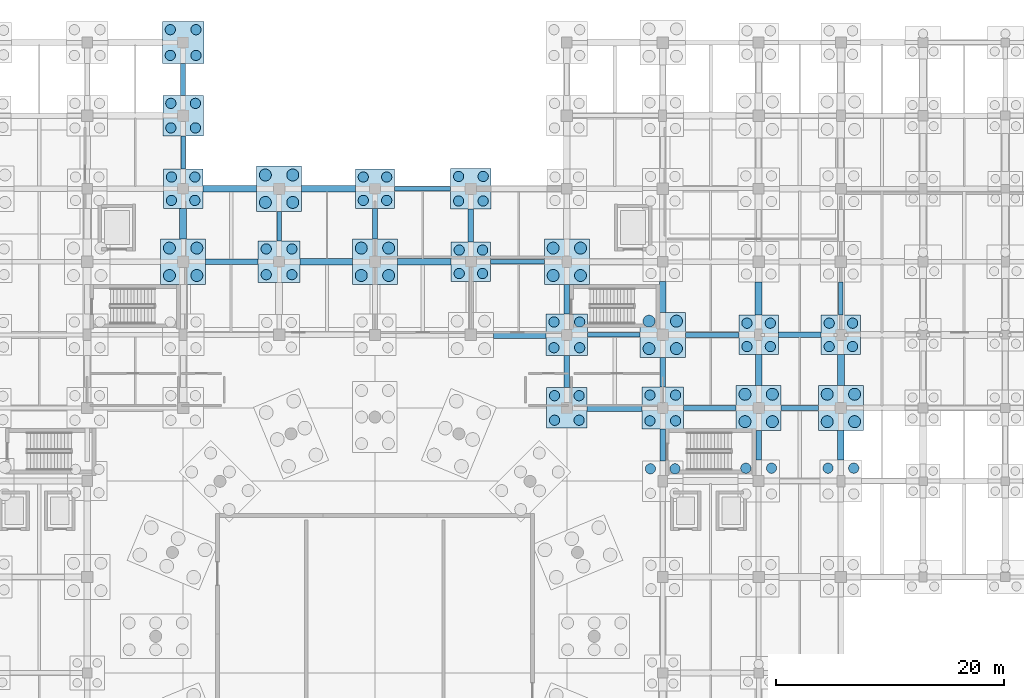
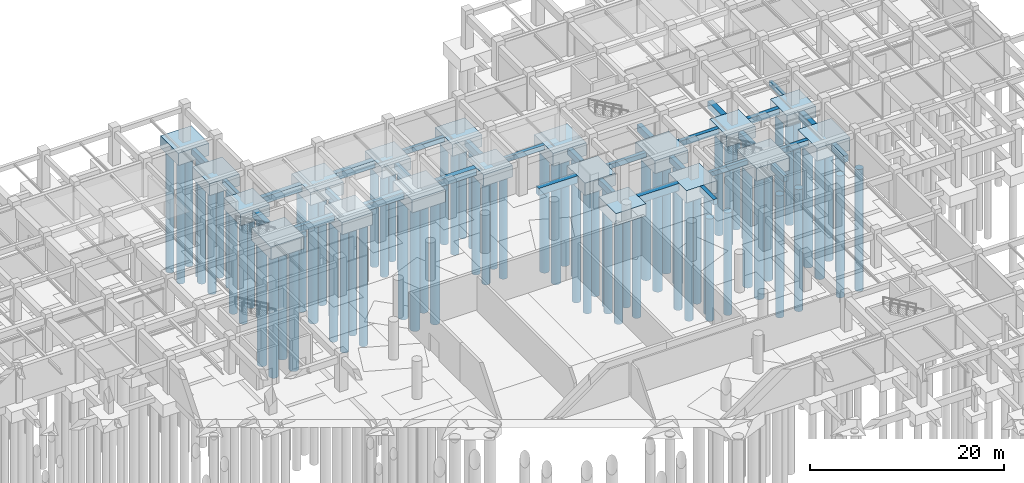
# One storey, part 10 of 44: 82 piles, 50 footings.
"""IFC4 building model written with IfcOpenShell, lengths in metres."""

from ifc_helpers import new_model, si_unit, direction, frame, origin, origin_2d, place, context, subcontext, project, spatial, rectangle, circle, extrude, material, material_profile, profile_set, type_object, element, save


model = new_model("IFC4")

# Units and contexts
model_context = context("Model", 3, precision=1e-05, world=origin(), true_north=direction((0.0, 1.0)))
body_context = subcontext(model_context, "Body", "Model", "MODEL_VIEW")
ifc_project = project(units=[si_unit("LENGTHUNIT", "METRE"), si_unit("AREAUNIT", "SQUARE_METRE"), si_unit("VOLUMEUNIT", "CUBIC_METRE"), si_unit("PLANEANGLEUNIT", "RADIAN"), si_unit("MASSUNIT", "GRAM", prefix="KILO")], contexts=[model_context])

# Site, building, storey
site_placement = place(None, origin())
site = spatial("IfcSite", under=ifc_project, at=site_placement, CompositionType="ELEMENT")
building_placement = place(site_placement, origin())
building = spatial("IfcBuilding", under=site, at=building_placement, Name="Korsvaeld Concert Hall", CompositionType="ELEMENT")
storey_placement = place(building_placement, frame((0.0, 0.0, -4.800048828125)))
storey = spatial("IfcBuildingStorey", under=building, at=storey_placement, Name="B1", CompositionType="ELEMENT", Elevation=-4.800048828125)

# Footings
ifc_material_1 = material(Name="Concrete C35/45", Category="concrete")
ifc_material_profile_1 = material_profile(ifc_material_1, rectangle(XDim=0.39990234375, YDim=0.60009765625, at=origin_2d()), Name="GTB 400x600")
ifc_profile_set_1 = profile_set([ifc_material_profile_1], Name="Concrete C35/45")
footing_type_1 = type_object("IfcFootingType", Name="GTB-400x600", PredefinedType="FOOTING_BEAM", material=ifc_profile_set_1)
for number, where, z_axis, x_axis, name in (
    (1, (111.02490234375, 83.199951171875, -0.300048828125), (1.0, 0.0, 0.0), (0.0, 1.0, 0.0), "Ground tie beam 15-16/M"),
    (2, (102.625, 89.60009765625, -0.300048828125), (1.0, 0.0, 0.0), (0.0, 1.0, 0.0), "Ground tie beam 14-15/N"),
):
    element("IfcFooting", number, at=place(storey_placement, frame(where, z_axis=z_axis, x_axis=x_axis)), inside=storey, type_object=footing_type_1, Name=name, PredefinedType="FOOTING_BEAM", context=body_context, shape_type="SweptSolid", body=[
        extrude(rectangle(XDim=0.39990234375, YDim=0.60009765625, at=origin_2d()), origin(), (0.0, 0.0, 1.0), 4.60009765625),
    ])
footing_1_placement = place(storey_placement, frame((94.125, 96.0, -0.300048828125), z_axis=(1.0, 0.0, 0.0), x_axis=(0.0, 1.0, 0.0)))
element("IfcFooting", 3, at=footing_1_placement, inside=storey, type_object=footing_type_1, Name="Ground tie beam 13-14/P", PredefinedType="FOOTING_BEAM", context=body_context, shape_type="SweptSolid", body=[
    extrude(rectangle(XDim=0.39990234375, YDim=0.60009765625, at=origin_2d()), origin(), (0.0, 0.0, 1.0), 4.699951171875),
])
footing_2_placement = place(storey_placement, frame((85.72509765625, 102.39990234375, -0.300048828125), z_axis=(1.0, 0.0, 0.0), x_axis=(0.0, 1.0, 0.0)))
element("IfcFooting", 4, at=footing_2_placement, inside=storey, type_object=footing_type_1, Name="Ground tie beam 12-13/Q", PredefinedType="FOOTING_BEAM", context=body_context, shape_type="SweptSolid", body=[
    extrude(rectangle(XDim=0.39990234375, YDim=0.60009765625, at=origin_2d()), origin(), (0.0, 0.0, 1.0), 4.89990234375),
])
footing_3_placement = place(storey_placement, frame((67.199951171875, 104.125, -0.300048828125), z_axis=(0.0, 1.0, 0.0), x_axis=(-1.0, 0.0, 0.0)))
element("IfcFooting", 5, at=footing_3_placement, inside=storey, type_object=footing_type_1, Name="Ground tie beam 10/Q-R", PredefinedType="FOOTING_BEAM", context=body_context, shape_type="SweptSolid", body=[
    extrude(rectangle(XDim=0.39990234375, YDim=0.60009765625, at=origin_2d()), origin(), (0.0, 0.0, 1.0), 2.89990234375),
])
footing_4_placement = place(storey_placement, frame((75.60009765625, 97.824951171875, -0.300048828125), z_axis=(0.0, 1.0, 0.0), x_axis=(-1.0, 0.0, 0.0)))
element("IfcFooting", 6, at=footing_4_placement, inside=storey, type_object=footing_type_1, Name="Ground tie beam 11/P-Q", PredefinedType="FOOTING_BEAM", context=body_context, shape_type="SweptSolid", body=[
    extrude(rectangle(XDim=0.39990234375, YDim=0.60009765625, at=origin_2d()), origin(), (0.0, 0.0, 1.0), 2.60009765625),
])
footing_5_placement = place(storey_placement, frame((124.800048828125, 91.324951171875, -0.300048828125), z_axis=(0.0, 1.0, 0.0), x_axis=(-1.0, 0.0, 0.0)))
element("IfcFooting", 7, at=footing_5_placement, inside=storey, type_object=footing_type_1, Name="Ground tie beam 17/N-P", PredefinedType="FOOTING_BEAM", context=body_context, shape_type="SweptSolid", body=[
    extrude(rectangle(XDim=0.39990234375, YDim=0.60009765625, at=origin_2d()), origin(), (0.0, 0.0, 1.0), 2.900146484375),
])
ifc_material_profile_2 = material_profile(ifc_material_1, rectangle(XDim=0.449951171875, YDim=0.699951171875, at=origin_2d()), Name="GTB 450x700")
ifc_profile_set_2 = profile_set([ifc_material_profile_2], Name="Concrete C35/45")
footing_type_2 = type_object("IfcFootingType", Name="GTB-450x700", PredefinedType="FOOTING_BEAM", material=ifc_profile_set_2)
footing_6_placement = place(storey_placement, frame((119.574951171875, 83.199951171875, -0.349853515625), z_axis=(1.0, 0.0, 0.0), x_axis=(0.0, 1.0, 0.0)))
element("IfcFooting", 8, at=footing_6_placement, inside=storey, type_object=footing_type_2, Name="Ground tie beam 16-17/M", PredefinedType="FOOTING_BEAM", context=body_context, shape_type="SweptSolid", body=[
    extrude(rectangle(XDim=0.449951171875, YDim=0.699951171875, at=origin_2d()), origin(), (0.0, 0.0, 1.0), 3.25),
])
footing_7_placement = place(storey_placement, frame((111.175048828125, 89.60009765625, -0.349853515625), z_axis=(1.0, 0.0, 0.0), x_axis=(0.0, 1.0, 0.0)))
element("IfcFooting", 9, at=footing_7_placement, inside=storey, type_object=footing_type_2, Name="Ground tie beam 15-16/N", PredefinedType="FOOTING_BEAM", context=body_context, shape_type="SweptSolid", body=[
    extrude(rectangle(XDim=0.449951171875, YDim=0.699951171875, at=origin_2d()), origin(), (0.0, 0.0, 1.0), 4.699951171875),
])
footing_8_placement = place(storey_placement, frame((67.199951171875, 110.574951171875, -0.349853515625), z_axis=(0.0, 1.0, 0.0), x_axis=(-1.0, 0.0, 0.0)))
element("IfcFooting", 10, at=footing_8_placement, inside=storey, type_object=footing_type_2, Name="Ground tie beam 10/R-S", PredefinedType="FOOTING_BEAM", context=body_context, shape_type="SweptSolid", body=[
    extrude(rectangle(XDim=0.449951171875, YDim=0.699951171875, at=origin_2d()), origin(), (0.0, 0.0, 1.0), 2.800048828125),
])
footing_9_placement = place(storey_placement, frame((84.0, 97.97509765625, -0.349853515625), z_axis=(0.0, 1.0, 0.0), x_axis=(-1.0, 0.0, 0.0)))
element("IfcFooting", 11, at=footing_9_placement, inside=storey, type_object=footing_type_2, Name="Ground tie beam 12/P-Q", PredefinedType="FOOTING_BEAM", context=body_context, shape_type="SweptSolid", body=[
    extrude(rectangle(XDim=0.449951171875, YDim=0.699951171875, at=origin_2d()), origin(), (0.0, 0.0, 1.0), 2.699951171875),
])
footing_10_placement = place(storey_placement, frame((100.800048828125, 84.97509765625, -0.349853515625), z_axis=(0.0, 1.0, 0.0), x_axis=(-1.0, 0.0, 0.0)))
element("IfcFooting", 12, at=footing_10_placement, inside=storey, type_object=footing_type_2, Name="Ground tie beam 14/M-N", PredefinedType="FOOTING_BEAM", context=body_context, shape_type="SweptSolid", body=[
    extrude(rectangle(XDim=0.449951171875, YDim=0.699951171875, at=origin_2d()), origin(), (0.0, 0.0, 1.0), 2.7998046875),
])
footing_11_placement = place(storey_placement, frame((109.199951171875, 78.574951171875, -0.349853515625), z_axis=(0.0, 1.0, 0.0), x_axis=(-1.0, 0.0, 0.0)))
element("IfcFooting", 13, at=footing_11_placement, inside=storey, type_object=footing_type_2, Name="Ground tie beam 15/L-M", PredefinedType="FOOTING_BEAM", context=body_context, shape_type="SweptSolid", body=[
    extrude(rectangle(XDim=0.449951171875, YDim=0.699951171875, at=origin_2d()), origin(), (0.0, 0.0, 1.0), 2.800048828125),
])
ifc_material_profile_3 = material_profile(ifc_material_1, rectangle(XDim=0.5, YDim=0.75, at=origin_2d()), Name="GTB 500x750")
ifc_profile_set_3 = profile_set([ifc_material_profile_3], Name="Concrete C35/45")
footing_type_3 = type_object("IfcFootingType", Name="GTB-500x750", PredefinedType="FOOTING_BEAM", material=ifc_profile_set_3)
footing_12_placement = place(storey_placement, frame((119.324951171875, 89.60009765625, -0.375), z_axis=(1.0, 0.0, 0.0), x_axis=(0.0, 1.0, 0.0)))
element("IfcFooting", 14, at=footing_12_placement, inside=storey, type_object=footing_type_3, Name="Ground tie beam 16-17/N", PredefinedType="FOOTING_BEAM", context=body_context, shape_type="SweptSolid", body=[
    extrude(rectangle(XDim=0.5, YDim=0.75, at=origin_2d()), origin(), (0.0, 0.0, 1.0), 3.75),
])
footing_13_placement = place(storey_placement, frame((69.175048828125, 96.0, -0.375), z_axis=(1.0, 0.0, 0.0), x_axis=(0.0, 1.0, 0.0)))
element("IfcFooting", 15, at=footing_13_placement, inside=storey, type_object=footing_type_3, Name="Ground tie beam 10-11/P", PredefinedType="FOOTING_BEAM", context=body_context, shape_type="SweptSolid", body=[
    extrude(rectangle(XDim=0.5, YDim=0.75, at=origin_2d()), origin(), (0.0, 0.0, 1.0), 4.599853515625),
])
footing_14_placement = place(storey_placement, frame((92.39990234375, 97.72509765625, -0.375), z_axis=(0.0, 1.0, 0.0), x_axis=(-1.0, 0.0, 0.0)))
element("IfcFooting", 16, at=footing_14_placement, inside=storey, type_object=footing_type_3, Name="Ground tie beam 13/P-Q", PredefinedType="FOOTING_BEAM", context=body_context, shape_type="SweptSolid", body=[
    extrude(rectangle(XDim=0.5, YDim=0.75, at=origin_2d()), origin(), (0.0, 0.0, 1.0), 2.89990234375),
])
footing_15_placement = place(storey_placement, frame((100.800048828125, 91.425048828125, -0.375), z_axis=(0.0, 1.0, 0.0), x_axis=(-1.0, 0.0, 0.0)))
element("IfcFooting", 17, at=footing_15_placement, inside=storey, type_object=footing_type_3, Name="Ground tie beam 14/N-P", PredefinedType="FOOTING_BEAM", context=body_context, shape_type="SweptSolid", body=[
    extrude(rectangle(XDim=0.5, YDim=0.75, at=origin_2d()), origin(), (0.0, 0.0, 1.0), 2.599853515625),
])
for number, where, z_axis, x_axis, name in (
    (18, (109.199951171875, 85.02490234375, -0.375), (0.0, 1.0, 0.0), (-1.0, 0.0, 0.0), "Ground tie beam 15/M-N"),
    (19, (117.60009765625, 78.625, -0.375), (0.0, 1.0, 0.0), (-1.0, 0.0, 0.0), "Ground tie beam 16/L-M"),
):
    element("IfcFooting", number, at=place(storey_placement, frame(where, z_axis=z_axis, x_axis=x_axis)), inside=storey, type_object=footing_type_3, Name=name, PredefinedType="FOOTING_BEAM", context=body_context, shape_type="SweptSolid", body=[
        extrude(rectangle(XDim=0.5, YDim=0.75, at=origin_2d()), origin(), (0.0, 0.0, 1.0), 2.60009765625),
    ])
ifc_material_profile_4 = material_profile(ifc_material_1, rectangle(XDim=0.550048828125, YDim=0.85009765625, at=origin_2d()), Name="GTB 550x850")
ifc_profile_set_4 = profile_set([ifc_material_profile_4], Name="Concrete C35/45")
footing_type_4 = type_object("IfcFootingType", Name="GTB-550x850", PredefinedType="FOOTING_BEAM", material=ifc_profile_set_4)
footing_16_placement = place(storey_placement, frame((77.425048828125, 96.0, -0.425048828125), z_axis=(1.0, 0.0, 0.0), x_axis=(0.0, 1.0, 0.0)))
element("IfcFooting", 20, at=footing_16_placement, inside=storey, type_object=footing_type_4, Name="Ground tie beam 11-12/P", PredefinedType="FOOTING_BEAM", context=body_context, shape_type="SweptSolid", body=[
    extrude(rectangle(XDim=0.550048828125, YDim=0.85009765625, at=origin_2d()), origin(), (0.0, 0.0, 1.0), 4.599853515625),
])
footing_17_placement = place(storey_placement, frame((68.925048828125, 102.39990234375, -0.425048828125), z_axis=(1.0, 0.0, 0.0), x_axis=(0.0, 1.0, 0.0)))
element("IfcFooting", 21, at=footing_17_placement, inside=storey, type_object=footing_type_4, Name="Ground tie beam 10-11/Q", PredefinedType="FOOTING_BEAM", context=body_context, shape_type="SweptSolid", body=[
    extrude(rectangle(XDim=0.550048828125, YDim=0.85009765625, at=origin_2d()), origin(), (0.0, 0.0, 1.0), 4.699951171875),
])
for number, where, z_axis, x_axis, name in (
    (22, (109.199951171875, 91.574951171875, -0.425048828125), (0.0, 1.0, 0.0), (-1.0, 0.0, 0.0), "Ground tie beam 15/N-P"),
    (23, (117.60009765625, 85.175048828125, -0.425048828125), (0.0, 1.0, 0.0), (-1.0, 0.0, 0.0), "Ground tie beam 16/M-N"),
):
    element("IfcFooting", number, at=place(storey_placement, frame(where, z_axis=z_axis, x_axis=x_axis)), inside=storey, type_object=footing_type_4, Name=name, PredefinedType="FOOTING_BEAM", context=body_context, shape_type="SweptSolid", body=[
        extrude(rectangle(XDim=0.550048828125, YDim=0.85009765625, at=origin_2d()), origin(), (0.0, 0.0, 1.0), 2.699951171875),
    ])
footing_18_placement = place(storey_placement, frame((124.800048828125, 78.625, -0.425048828125), z_axis=(0.0, 1.0, 0.0), x_axis=(-1.0, 0.0, 0.0)))
element("IfcFooting", 24, at=footing_18_placement, inside=storey, type_object=footing_type_4, Name="Ground tie beam 17/L-M", PredefinedType="FOOTING_BEAM", context=body_context, shape_type="SweptSolid", body=[
    extrude(rectangle(XDim=0.550048828125, YDim=0.85009765625, at=origin_2d()), origin(), (0.0, 0.0, 1.0), 2.60009765625),
])
ifc_material_profile_5 = material_profile(ifc_material_1, rectangle(XDim=0.60009765625, YDim=0.89990234375, at=origin_2d()), Name="GTB 600x900")
ifc_profile_set_5 = profile_set([ifc_material_profile_5], Name="Concrete C35/45")
footing_type_5 = type_object("IfcFootingType", Name="GTB-600x900", PredefinedType="FOOTING_BEAM", material=ifc_profile_set_5)
footing_19_placement = place(storey_placement, frame((102.574951171875, 83.199951171875, -0.449951171875), z_axis=(1.0, 0.0, 0.0), x_axis=(0.0, 1.0, 0.0)))
element("IfcFooting", 25, at=footing_19_placement, inside=storey, type_object=footing_type_5, Name="Ground tie beam 14-15/M", PredefinedType="FOOTING_BEAM", context=body_context, shape_type="SweptSolid", body=[
    extrude(rectangle(XDim=0.60009765625, YDim=0.89990234375, at=origin_2d()), origin(), (0.0, 0.0, 1.0), 4.800048828125),
])
footing_20_placement = place(storey_placement, frame((94.375, 89.60009765625, -0.449951171875), z_axis=(1.0, 0.0, 0.0), x_axis=(0.0, 1.0, 0.0)))
element("IfcFooting", 26, at=footing_20_placement, inside=storey, type_object=footing_type_5, Name="Ground tie beam 13-14/N", PredefinedType="FOOTING_BEAM", context=body_context, shape_type="SweptSolid", body=[
    extrude(rectangle(XDim=0.60009765625, YDim=0.89990234375, at=origin_2d()), origin(), (0.0, 0.0, 1.0), 4.60009765625),
])
for number, where, z_axis, x_axis, name in (
    (27, (85.97509765625, 96.0, -0.449951171875), (1.0, 0.0, 0.0), (0.0, 1.0, 0.0), "Ground tie beam 12-13/P"),
    (28, (77.574951171875, 102.39990234375, -0.449951171875), (1.0, 0.0, 0.0), (0.0, 1.0, 0.0), "Ground tie beam 11-12/Q"),
):
    element("IfcFooting", number, at=place(storey_placement, frame(where, z_axis=z_axis, x_axis=x_axis)), inside=storey, type_object=footing_type_5, Name=name, PredefinedType="FOOTING_BEAM", context=body_context, shape_type="SweptSolid", body=[
        extrude(rectangle(XDim=0.60009765625, YDim=0.89990234375, at=origin_2d()), origin(), (0.0, 0.0, 1.0), 4.699951171875),
    ])
footing_21_placement = place(storey_placement, frame((67.199951171875, 97.97509765625, -0.449951171875), z_axis=(0.0, 1.0, 0.0), x_axis=(-1.0, 0.0, 0.0)))
element("IfcFooting", 29, at=footing_21_placement, inside=storey, type_object=footing_type_5, Name="Ground tie beam 10/P-Q", PredefinedType="FOOTING_BEAM", context=body_context, shape_type="SweptSolid", body=[
    extrude(rectangle(XDim=0.60009765625, YDim=0.89990234375, at=origin_2d()), origin(), (0.0, 0.0, 1.0), 2.699951171875),
])
footing_22_placement = place(storey_placement, frame((117.60009765625, 91.324951171875, -0.449951171875), z_axis=(0.0, 1.0, 0.0), x_axis=(-1.0, 0.0, 0.0)))
element("IfcFooting", 30, at=footing_22_placement, inside=storey, type_object=footing_type_5, Name="Ground tie beam 16/N-P", PredefinedType="FOOTING_BEAM", context=body_context, shape_type="SweptSolid", body=[
    extrude(rectangle(XDim=0.60009765625, YDim=0.89990234375, at=origin_2d()), origin(), (0.0, 0.0, 1.0), 2.900146484375),
])
footing_23_placement = place(storey_placement, frame((124.800048828125, 85.175048828125, -0.449951171875), z_axis=(0.0, 1.0, 0.0), x_axis=(-1.0, 0.0, 0.0)))
element("IfcFooting", 31, at=footing_23_placement, inside=storey, type_object=footing_type_5, Name="Ground tie beam 17/M-N", PredefinedType="FOOTING_BEAM", context=body_context, shape_type="SweptSolid", body=[
    extrude(rectangle(XDim=0.60009765625, YDim=0.89990234375, at=origin_2d()), origin(), (0.0, 0.0, 1.0), 2.699951171875),
])
footing_type_6 = type_object("IfcFootingType", Name="PC-4P-320x320x145", PredefinedType="PILE_CAP", material=ifc_material_1)
for number, where, z_axis, x_axis, name in (
    (32, (67.199951171875, 102.39990234375, -1.44970703125), (0.0, 0.0, 1.0), (1.0, 0.0, 0.0), "Pile cap 10/Q"),
    (33, (84.0, 102.39990234375, -1.44970703125), (0.0, 0.0, 1.0), (1.0, 0.0, 0.0), "Pile cap 12/Q"),
    (34, (92.39990234375, 96.0, -1.44970703125), (0.0, 0.0, 1.0), (1.0, 0.0, 0.0), "Pile cap 13/P"),
    (35, (117.60009765625, 89.60009765625, -1.44970703125), (0.0, 0.0, 1.0), (1.0, 0.0, 0.0), "Pile cap 16/N"),
    (36, (124.800048828125, 89.60009765625, -1.44970703125), (0.0, 0.0, 1.0), (1.0, 0.0, 0.0), "Pile cap 17/N"),
):
    element("IfcFooting", number, at=place(storey_placement, frame(where, z_axis=z_axis, x_axis=x_axis)), inside=storey, type_object=footing_type_6, Name=name, PredefinedType="PILE_CAP", context=body_context, shape_type="SweptSolid", body=[
        extrude(rectangle(XDim=3.449951171875, YDim=3.449951171875, at=origin_2d()), origin(), (0.0, 0.0, 1.0), 1.449951171875),
    ])
footing_type_7 = type_object("IfcFootingType", Name="PC-4P-340x340x150", PredefinedType="PILE_CAP", material=ifc_material_1)
for number, where, z_axis, x_axis, name in (
    (37, (67.199951171875, 108.800048828125, -1.5), (0.0, 0.0, 1.0), (1.0, 0.0, 0.0), "Pile cap 10/R"),
    (38, (92.39990234375, 102.39990234375, -1.5), (0.0, 0.0, 1.0), (1.0, 0.0, 0.0), "Pile cap 13/Q"),
    (39, (100.800048828125, 83.199951171875, -1.5), (0.0, 0.0, 1.0), (1.0, 0.0, 0.0), "Pile cap 14/M"),
):
    element("IfcFooting", number, at=place(storey_placement, frame(where, z_axis=z_axis, x_axis=x_axis)), inside=storey, type_object=footing_type_7, Name=name, PredefinedType="PILE_CAP", context=body_context, shape_type="SweptSolid", body=[
        extrude(rectangle(XDim=3.550048828125, YDim=3.550048828125, at=origin_2d()), origin(), (0.0, 0.0, 1.0), 1.5),
    ])
footing_type_8 = type_object("IfcFootingType", Name="PC-4P-360x360x155", PredefinedType="PILE_CAP", material=ifc_material_1)
for number, where, z_axis, x_axis, name in (
    (40, (67.199951171875, 115.199951171875, -1.5498046875), (0.0, 0.0, 1.0), (1.0, 0.0, 0.0), "Pile cap 10/S"),
    (41, (75.60009765625, 96.0, -1.5498046875), (0.0, 0.0, 1.0), (1.0, 0.0, 0.0), "Pile cap 11/P"),
    (42, (100.800048828125, 89.60009765625, -1.5498046875), (0.0, 0.0, 1.0), (1.0, 0.0, 0.0), "Pile cap 14/N"),
    (43, (109.199951171875, 83.199951171875, -1.5498046875), (0.0, 0.0, 1.0), (1.0, 0.0, 0.0), "Pile cap 15/M"),
):
    element("IfcFooting", number, at=place(storey_placement, frame(where, z_axis=z_axis, x_axis=x_axis)), inside=storey, type_object=footing_type_8, Name=name, PredefinedType="PILE_CAP", context=body_context, shape_type="SweptSolid", body=[
        extrude(rectangle(XDim=3.64990234375, YDim=3.64990234375, at=origin_2d()), origin(), (0.0, 0.0, 1.0), 1.550048828125),
    ])
footing_type_9 = type_object("IfcFootingType", Name="PC-4P-380x380x160", PredefinedType="PILE_CAP", material=ifc_material_1)
for number, where, z_axis, x_axis, name in (
    (44, (67.199951171875, 96.0, -1.60009765625), (0.0, 0.0, 1.0), (1.0, 0.0, 0.0), "Pile cap 10/P"),
    (45, (75.60009765625, 102.39990234375, -1.60009765625), (0.0, 0.0, 1.0), (1.0, 0.0, 0.0), "Pile cap 11/Q"),
    (46, (84.0, 96.0, -1.60009765625), (0.0, 0.0, 1.0), (1.0, 0.0, 0.0), "Pile cap 12/P"),
    (47, (100.800048828125, 96.0, -1.60009765625), (0.0, 0.0, 1.0), (1.0, 0.0, 0.0), "Pile cap 14/P"),
    (48, (109.199951171875, 89.60009765625, -1.60009765625), (0.0, 0.0, 1.0), (1.0, 0.0, 0.0), "Pile cap 15/N"),
    (49, (117.60009765625, 83.199951171875, -1.60009765625), (0.0, 0.0, 1.0), (1.0, 0.0, 0.0), "Pile cap 16/M"),
    (50, (124.800048828125, 83.199951171875, -1.60009765625), (0.0, 0.0, 1.0), (1.0, 0.0, 0.0), "Pile cap 17/M"),
):
    element("IfcFooting", number, at=place(storey_placement, frame(where, z_axis=z_axis, x_axis=x_axis)), inside=storey, type_object=footing_type_9, Name=name, PredefinedType="PILE_CAP", context=body_context, shape_type="SweptSolid", body=[
        extrude(rectangle(XDim=3.949951171875, YDim=3.949951171875, at=origin_2d()), origin(), (0.0, 0.0, 1.0), 1.60009765625),
    ])

# Piles
ifc_material_2 = material(Name="Concrete C40/50", Category="concrete")
ifc_material_profile_6 = material_profile(ifc_material_2, circle(Radius=0.52490234375, at=origin_2d()), Name="BORED PILE D1050")
ifc_profile_set_6 = profile_set([ifc_material_profile_6], Name="Concrete C40/50")
pile_type_1 = type_object("IfcPileType", Name="PILE-D1050", PredefinedType="BORED", material=ifc_profile_set_6)
for number, where, z_axis, x_axis, name in (
    (51, (66.0, 94.800048828125, -1.5), (0.0, 0.0, -1.0), (1.0, 0.0, 0.0), "Bored pile 10/P-1"),
    (52, (68.39990234375, 94.800048828125, -1.5), (0.0, 0.0, -1.0), (1.0, 0.0, 0.0), "Bored pile 10/P-2"),
    (53, (66.0, 97.199951171875, -1.5), (0.0, 0.0, -1.0), (1.0, 0.0, 0.0), "Bored pile 10/P-3"),
    (54, (68.39990234375, 97.199951171875, -1.5), (0.0, 0.0, -1.0), (1.0, 0.0, 0.0), "Bored pile 10/P-4"),
    (55, (74.39990234375, 101.199951171875, -1.5), (0.0, 0.0, -1.0), (1.0, 0.0, 0.0), "Bored pile 11/Q-1"),
    (56, (76.800048828125, 101.199951171875, -1.5), (0.0, 0.0, -1.0), (1.0, 0.0, 0.0), "Bored pile 11/Q-2"),
    (57, (74.39990234375, 103.60009765625, -1.5), (0.0, 0.0, -1.0), (1.0, 0.0, 0.0), "Bored pile 11/Q-3"),
    (58, (76.800048828125, 103.60009765625, -1.5), (0.0, 0.0, -1.0), (1.0, 0.0, 0.0), "Bored pile 11/Q-4"),
    (59, (82.800048828125, 94.800048828125, -1.5), (0.0, 0.0, -1.0), (1.0, 0.0, 0.0), "Bored pile 12/P-1"),
    (60, (85.199951171875, 94.800048828125, -1.5), (0.0, 0.0, -1.0), (1.0, 0.0, 0.0), "Bored pile 12/P-2"),
    (61, (82.800048828125, 97.199951171875, -1.5), (0.0, 0.0, -1.0), (1.0, 0.0, 0.0), "Bored pile 12/P-3"),
    (62, (85.199951171875, 97.199951171875, -1.5), (0.0, 0.0, -1.0), (1.0, 0.0, 0.0), "Bored pile 12/P-4"),
    (63, (99.60009765625, 94.800048828125, -1.5), (0.0, 0.0, -1.0), (1.0, 0.0, 0.0), "Bored pile 14/P-1"),
    (64, (102.0, 94.800048828125, -1.5), (0.0, 0.0, -1.0), (1.0, 0.0, 0.0), "Bored pile 14/P-2"),
    (65, (99.60009765625, 97.199951171875, -1.5), (0.0, 0.0, -1.0), (1.0, 0.0, 0.0), "Bored pile 14/P-3"),
    (66, (102.0, 97.199951171875, -1.5), (0.0, 0.0, -1.0), (1.0, 0.0, 0.0), "Bored pile 14/P-4"),
    (67, (108.0, 88.39990234375, -1.5), (0.0, 0.0, -1.0), (1.0, 0.0, 0.0), "Bored pile 15/N-1"),
    (68, (110.39990234375, 88.39990234375, -1.5), (0.0, 0.0, -1.0), (1.0, 0.0, 0.0), "Bored pile 15/N-2"),
    (69, (108.0, 90.800048828125, -1.5), (0.0, 0.0, -1.0), (1.0, 0.0, 0.0), "Bored pile 15/N-3"),
    (70, (110.39990234375, 90.800048828125, -1.5), (0.0, 0.0, -1.0), (1.0, 0.0, 0.0), "Bored pile 15/N-4"),
    (71, (116.39990234375, 82.0, -1.5), (0.0, 0.0, -1.0), (1.0, 0.0, 0.0), "Bored pile 16/M-1"),
    (72, (118.800048828125, 82.0, -1.5), (0.0, 0.0, -1.0), (1.0, 0.0, 0.0), "Bored pile 16/M-2"),
    (73, (116.39990234375, 84.39990234375, -1.5), (0.0, 0.0, -1.0), (1.0, 0.0, 0.0), "Bored pile 16/M-3"),
    (74, (118.800048828125, 84.39990234375, -1.5), (0.0, 0.0, -1.0), (1.0, 0.0, 0.0), "Bored pile 16/M-4"),
    (75, (123.60009765625, 82.0, -1.5), (0.0, 0.0, -1.0), (1.0, 0.0, 0.0), "Bored pile 17/M-1"),
    (76, (126.0, 82.0, -1.5), (0.0, 0.0, -1.0), (1.0, 0.0, 0.0), "Bored pile 17/M-2"),
    (77, (123.60009765625, 84.39990234375, -1.5), (0.0, 0.0, -1.0), (1.0, 0.0, 0.0), "Bored pile 17/M-3"),
    (78, (126.0, 84.39990234375, -1.5), (0.0, 0.0, -1.0), (1.0, 0.0, 0.0), "Bored pile 17/M-4"),
):
    element("IfcPile", number, at=place(storey_placement, frame(where, z_axis=z_axis, x_axis=x_axis)), inside=storey, type_object=pile_type_1, Name=name, PredefinedType="BORED", context=body_context, shape_type="SweptSolid", body=[
        extrude(circle(Radius=0.52490234375, at=origin_2d()), origin(), (0.0, 0.0, 1.0), 15.39990234375),
    ])
ifc_material_profile_7 = material_profile(ifc_material_1, circle(Radius=0.449951171875, at=origin_2d()), Name="BORED PILE D900")
ifc_profile_set_7 = profile_set([ifc_material_profile_7], Name="Concrete C35/45")
pile_type_2 = type_object("IfcPileType", Name="PILE-D900", PredefinedType="BORED", material=ifc_profile_set_7)
for number, where, z_axis, x_axis, name in (
    (79, (66.175048828125, 101.375, -1.349853515625), (0.0, 0.0, -1.0), (1.0, 0.0, 0.0), "Bored pile 10/Q-1"),
    (80, (68.22509765625, 101.375, -1.349853515625), (0.0, 0.0, -1.0), (1.0, 0.0, 0.0), "Bored pile 10/Q-2"),
    (81, (66.175048828125, 103.425048828125, -1.349853515625), (0.0, 0.0, -1.0), (1.0, 0.0, 0.0), "Bored pile 10/Q-3"),
    (82, (68.22509765625, 103.425048828125, -1.349853515625), (0.0, 0.0, -1.0), (1.0, 0.0, 0.0), "Bored pile 10/Q-4"),
):
    element("IfcPile", number, at=place(storey_placement, frame(where, z_axis=z_axis, x_axis=x_axis)), inside=storey, type_object=pile_type_2, Name=name, PredefinedType="BORED", context=body_context, shape_type="SweptSolid", body=[
        extrude(circle(Radius=0.449951171875, at=origin_2d()), origin(), (0.0, 0.0, 1.0), 12.85009765625),
    ])
for number, where, z_axis, x_axis, name in (
    (83, (66.125, 107.72509765625, -1.39990234375), (0.0, 0.0, -1.0), (1.0, 0.0, 0.0), "Bored pile 10/R-1"),
    (84, (68.27490234375, 107.72509765625, -1.39990234375), (0.0, 0.0, -1.0), (1.0, 0.0, 0.0), "Bored pile 10/R-2"),
    (85, (66.125, 109.875, -1.39990234375), (0.0, 0.0, -1.0), (1.0, 0.0, 0.0), "Bored pile 10/R-3"),
    (86, (68.27490234375, 109.875, -1.39990234375), (0.0, 0.0, -1.0), (1.0, 0.0, 0.0), "Bored pile 10/R-4"),
):
    element("IfcPile", number, at=place(storey_placement, frame(where, z_axis=z_axis, x_axis=x_axis)), inside=storey, type_object=pile_type_2, Name=name, PredefinedType="BORED", context=body_context, shape_type="SweptSolid", body=[
        extrude(circle(Radius=0.449951171875, at=origin_2d()), origin(), (0.0, 0.0, 1.0), 12.89990234375),
    ])
for number, where, z_axis, x_axis, name in (
    (87, (66.074951171875, 114.074951171875, -1.449951171875), (0.0, 0.0, -1.0), (1.0, 0.0, 0.0), "Bored pile 10/S-1"),
    (88, (68.324951171875, 114.074951171875, -1.449951171875), (0.0, 0.0, -1.0), (1.0, 0.0, 0.0), "Bored pile 10/S-2"),
    (89, (66.074951171875, 116.324951171875, -1.449951171875), (0.0, 0.0, -1.0), (1.0, 0.0, 0.0), "Bored pile 10/S-3"),
    (90, (68.324951171875, 116.324951171875, -1.449951171875), (0.0, 0.0, -1.0), (1.0, 0.0, 0.0), "Bored pile 10/S-4"),
    (91, (74.47509765625, 94.875, -1.449951171875), (0.0, 0.0, -1.0), (1.0, 0.0, 0.0), "Bored pile 11/P-1"),
    (92, (76.72509765625, 94.875, -1.449951171875), (0.0, 0.0, -1.0), (1.0, 0.0, 0.0), "Bored pile 11/P-2"),
    (93, (74.47509765625, 97.125, -1.449951171875), (0.0, 0.0, -1.0), (1.0, 0.0, 0.0), "Bored pile 11/P-3"),
    (94, (76.72509765625, 97.125, -1.449951171875), (0.0, 0.0, -1.0), (1.0, 0.0, 0.0), "Bored pile 11/P-4"),
):
    element("IfcPile", number, at=place(storey_placement, frame(where, z_axis=z_axis, x_axis=x_axis)), inside=storey, type_object=pile_type_2, Name=name, PredefinedType="BORED", context=body_context, shape_type="SweptSolid", body=[
        extrude(circle(Radius=0.449951171875, at=origin_2d()), origin(), (0.0, 0.0, 1.0), 15.35009765625),
    ])
for number, where, z_axis, x_axis, name in (
    (95, (82.97509765625, 101.375, -1.349853515625), (0.0, 0.0, -1.0), (1.0, 0.0, 0.0), "Bored pile 12/Q-1"),
    (96, (85.02490234375, 101.375, -1.349853515625), (0.0, 0.0, -1.0), (1.0, 0.0, 0.0), "Bored pile 12/Q-2"),
    (97, (82.97509765625, 103.425048828125, -1.349853515625), (0.0, 0.0, -1.0), (1.0, 0.0, 0.0), "Bored pile 12/Q-3"),
    (98, (85.02490234375, 103.425048828125, -1.349853515625), (0.0, 0.0, -1.0), (1.0, 0.0, 0.0), "Bored pile 12/Q-4"),
    (99, (91.375, 94.97509765625, -1.349853515625), (0.0, 0.0, -1.0), (1.0, 0.0, 0.0), "Bored pile 13/P-1"),
    (100, (93.425048828125, 94.97509765625, -1.349853515625), (0.0, 0.0, -1.0), (1.0, 0.0, 0.0), "Bored pile 13/P-2"),
    (101, (91.375, 97.02490234375, -1.349853515625), (0.0, 0.0, -1.0), (1.0, 0.0, 0.0), "Bored pile 13/P-3"),
    (102, (93.425048828125, 97.02490234375, -1.349853515625), (0.0, 0.0, -1.0), (1.0, 0.0, 0.0), "Bored pile 13/P-4"),
):
    element("IfcPile", number, at=place(storey_placement, frame(where, z_axis=z_axis, x_axis=x_axis)), inside=storey, type_object=pile_type_2, Name=name, PredefinedType="BORED", context=body_context, shape_type="SweptSolid", body=[
        extrude(circle(Radius=0.449951171875, at=origin_2d()), origin(), (0.0, 0.0, 1.0), 12.85009765625),
    ])
for number, where, z_axis, x_axis, name in (
    (103, (91.324951171875, 101.324951171875, -1.39990234375), (0.0, 0.0, -1.0), (1.0, 0.0, 0.0), "Bored pile 13/Q-1"),
    (104, (93.47509765625, 101.324951171875, -1.39990234375), (0.0, 0.0, -1.0), (1.0, 0.0, 0.0), "Bored pile 13/Q-2"),
    (105, (91.324951171875, 103.47509765625, -1.39990234375), (0.0, 0.0, -1.0), (1.0, 0.0, 0.0), "Bored pile 13/Q-3"),
    (106, (93.47509765625, 103.47509765625, -1.39990234375), (0.0, 0.0, -1.0), (1.0, 0.0, 0.0), "Bored pile 13/Q-4"),
    (107, (99.72509765625, 82.125, -1.39990234375), (0.0, 0.0, -1.0), (1.0, 0.0, 0.0), "Bored pile 14/M-1"),
    (108, (101.875, 82.125, -1.39990234375), (0.0, 0.0, -1.0), (1.0, 0.0, 0.0), "Bored pile 14/M-2"),
    (109, (99.72509765625, 84.27490234375, -1.39990234375), (0.0, 0.0, -1.0), (1.0, 0.0, 0.0), "Bored pile 14/M-3"),
    (110, (101.875, 84.27490234375, -1.39990234375), (0.0, 0.0, -1.0), (1.0, 0.0, 0.0), "Bored pile 14/M-4"),
):
    element("IfcPile", number, at=place(storey_placement, frame(where, z_axis=z_axis, x_axis=x_axis)), inside=storey, type_object=pile_type_2, Name=name, PredefinedType="BORED", context=body_context, shape_type="SweptSolid", body=[
        extrude(circle(Radius=0.449951171875, at=origin_2d()), origin(), (0.0, 0.0, 1.0), 12.89990234375),
    ])
for number, where, z_axis, x_axis, name in (
    (111, (99.675048828125, 88.47509765625, -1.449951171875), (0.0, 0.0, -1.0), (1.0, 0.0, 0.0), "Bored pile 14/N-1"),
    (112, (101.925048828125, 88.47509765625, -1.449951171875), (0.0, 0.0, -1.0), (1.0, 0.0, 0.0), "Bored pile 14/N-2"),
    (113, (99.675048828125, 90.72509765625, -1.449951171875), (0.0, 0.0, -1.0), (1.0, 0.0, 0.0), "Bored pile 14/N-3"),
    (114, (101.925048828125, 90.72509765625, -1.449951171875), (0.0, 0.0, -1.0), (1.0, 0.0, 0.0), "Bored pile 14/N-4"),
):
    element("IfcPile", number, at=place(storey_placement, frame(where, z_axis=z_axis, x_axis=x_axis)), inside=storey, type_object=pile_type_2, Name=name, PredefinedType="BORED", context=body_context, shape_type="SweptSolid", body=[
        extrude(circle(Radius=0.449951171875, at=origin_2d()), origin(), (0.0, 0.0, 1.0), 15.35009765625),
    ])
for number, where, z_axis, x_axis, name in (
    (115, (108.125, 77.875, -1.39990234375), (0.0, 0.0, -1.0), (1.0, 0.0, 0.0), "Bored pile 15/L-3"),
    (116, (110.27490234375, 77.875, -1.39990234375), (0.0, 0.0, -1.0), (1.0, 0.0, 0.0), "Bored pile 15/L-4"),
):
    element("IfcPile", number, at=place(storey_placement, frame(where, z_axis=z_axis, x_axis=x_axis)), inside=storey, type_object=pile_type_2, Name=name, PredefinedType="BORED", context=body_context, shape_type="SweptSolid", body=[
        extrude(circle(Radius=0.449951171875, at=origin_2d()), origin(), (0.0, 0.0, 1.0), 12.89990234375),
    ])
for number, where, z_axis, x_axis, name in (
    (117, (108.074951171875, 82.074951171875, -1.449951171875), (0.0, 0.0, -1.0), (1.0, 0.0, 0.0), "Bored pile 15/M-1"),
    (118, (110.324951171875, 82.074951171875, -1.449951171875), (0.0, 0.0, -1.0), (1.0, 0.0, 0.0), "Bored pile 15/M-2"),
    (119, (108.074951171875, 84.324951171875, -1.449951171875), (0.0, 0.0, -1.0), (1.0, 0.0, 0.0), "Bored pile 15/M-3"),
    (120, (110.324951171875, 84.324951171875, -1.449951171875), (0.0, 0.0, -1.0), (1.0, 0.0, 0.0), "Bored pile 15/M-4"),
    (121, (116.47509765625, 77.925048828125, -1.449951171875), (0.0, 0.0, -1.0), (1.0, 0.0, 0.0), "Bored pile 16/L-3"),
    (122, (118.72509765625, 77.925048828125, -1.449951171875), (0.0, 0.0, -1.0), (1.0, 0.0, 0.0), "Bored pile 16/L-4"),
):
    element("IfcPile", number, at=place(storey_placement, frame(where, z_axis=z_axis, x_axis=x_axis)), inside=storey, type_object=pile_type_2, Name=name, PredefinedType="BORED", context=body_context, shape_type="SweptSolid", body=[
        extrude(circle(Radius=0.449951171875, at=origin_2d()), origin(), (0.0, 0.0, 1.0), 15.35009765625),
    ])
for number, where, z_axis, x_axis, name in (
    (123, (116.574951171875, 88.574951171875, -1.349853515625), (0.0, 0.0, -1.0), (1.0, 0.0, 0.0), "Bored pile 16/N-1"),
    (124, (118.625, 88.574951171875, -1.349853515625), (0.0, 0.0, -1.0), (1.0, 0.0, 0.0), "Bored pile 16/N-2"),
    (125, (116.574951171875, 90.625, -1.349853515625), (0.0, 0.0, -1.0), (1.0, 0.0, 0.0), "Bored pile 16/N-3"),
    (126, (118.625, 90.625, -1.349853515625), (0.0, 0.0, -1.0), (1.0, 0.0, 0.0), "Bored pile 16/N-4"),
):
    element("IfcPile", number, at=place(storey_placement, frame(where, z_axis=z_axis, x_axis=x_axis)), inside=storey, type_object=pile_type_2, Name=name, PredefinedType="BORED", context=body_context, shape_type="SweptSolid", body=[
        extrude(circle(Radius=0.449951171875, at=origin_2d()), origin(), (0.0, 0.0, 1.0), 12.85009765625),
    ])
for number, where, z_axis, x_axis, name in (
    (127, (123.675048828125, 77.925048828125, -1.449951171875), (0.0, 0.0, -1.0), (1.0, 0.0, 0.0), "Bored pile 17/L-3"),
    (128, (125.925048828125, 77.925048828125, -1.449951171875), (0.0, 0.0, -1.0), (1.0, 0.0, 0.0), "Bored pile 17/L-4"),
):
    element("IfcPile", number, at=place(storey_placement, frame(where, z_axis=z_axis, x_axis=x_axis)), inside=storey, type_object=pile_type_2, Name=name, PredefinedType="BORED", context=body_context, shape_type="SweptSolid", body=[
        extrude(circle(Radius=0.449951171875, at=origin_2d()), origin(), (0.0, 0.0, 1.0), 15.35009765625),
    ])
for number, where, z_axis, x_axis, name in (
    (129, (123.77490234375, 88.574951171875, -1.349853515625), (0.0, 0.0, -1.0), (1.0, 0.0, 0.0), "Bored pile 17/N-1"),
    (130, (125.824951171875, 88.574951171875, -1.349853515625), (0.0, 0.0, -1.0), (1.0, 0.0, 0.0), "Bored pile 17/N-2"),
    (131, (123.77490234375, 90.625, -1.349853515625), (0.0, 0.0, -1.0), (1.0, 0.0, 0.0), "Bored pile 17/N-3"),
    (132, (125.824951171875, 90.625, -1.349853515625), (0.0, 0.0, -1.0), (1.0, 0.0, 0.0), "Bored pile 17/N-4"),
):
    element("IfcPile", number, at=place(storey_placement, frame(where, z_axis=z_axis, x_axis=x_axis)), inside=storey, type_object=pile_type_2, Name=name, PredefinedType="BORED", context=body_context, shape_type="SweptSolid", body=[
        extrude(circle(Radius=0.449951171875, at=origin_2d()), origin(), (0.0, 0.0, 1.0), 12.85009765625),
    ])

save(model, "model.ifc")
